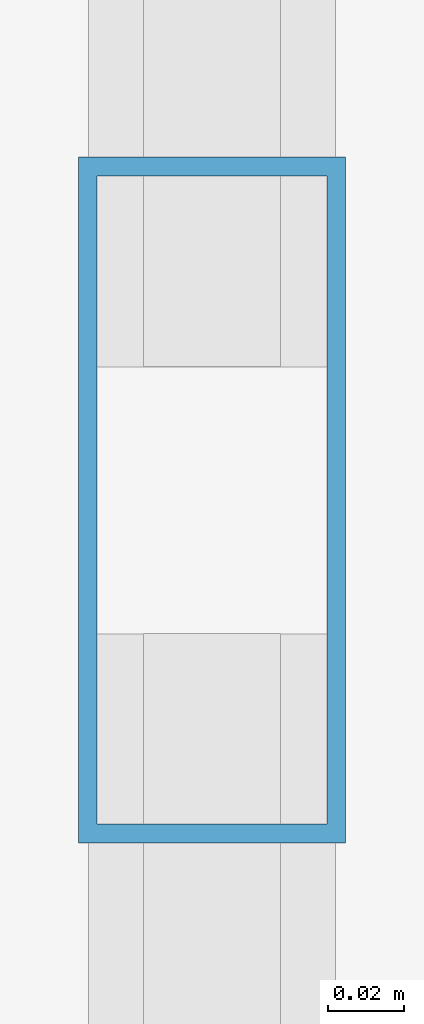
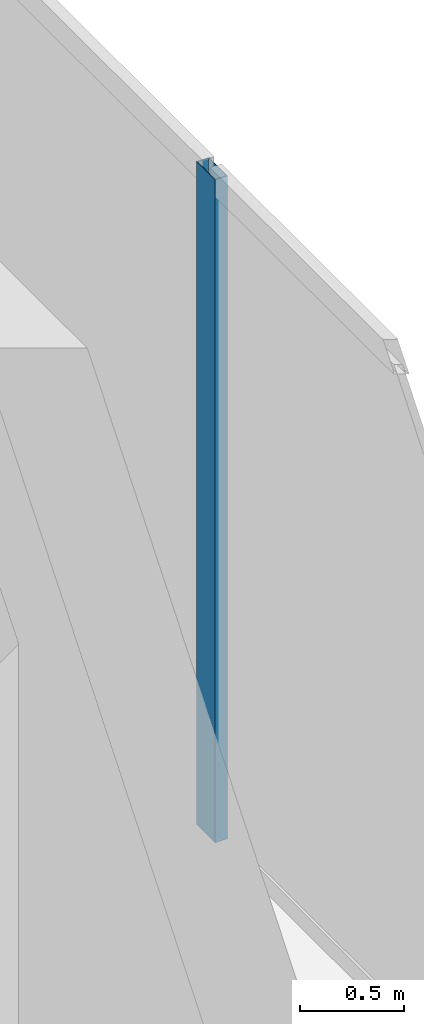
# One storey, part 17 of 31: 1 member, 1 element without a shape of its own.
"""IFC4 building model written with IfcOpenShell, lengths in metres."""

from ifc_helpers import new_model, si_unit, direction, frame, origin, origin_2d, place, context, subcontext, project, spatial, hollow_rectangle, extrude, source, transform, mapped, material, layer, layer_set, material_profile, profile_set, type_object, type_shapes, element, aggregate, save


model = new_model("IFC4")

# Units and contexts
model_context = context("Model", 3, precision=1e-05, world=origin(), true_north=direction((0.0, 1.0)))
body_context = subcontext(model_context, "Body", "Model", "MODEL_VIEW")
ifc_project = project(units=[si_unit("LENGTHUNIT", "METRE"), si_unit("AREAUNIT", "SQUARE_METRE"), si_unit("VOLUMEUNIT", "CUBIC_METRE"), si_unit("PLANEANGLEUNIT", "RADIAN"), si_unit("MASSUNIT", "GRAM", prefix="KILO")], contexts=[model_context])

# Site, building, storey
site_placement = place(None, origin())
site = spatial("IfcSite", under=ifc_project, at=site_placement, CompositionType="ELEMENT")
building_placement = place(site_placement, origin())
building = spatial("IfcBuilding", under=site, at=building_placement, Name="Haelvirn Gate Laboratories", CompositionType="ELEMENT")
storey_placement = place(building_placement, frame((0.0, 0.0, 318.60009765625)))
storey = spatial("IfcBuildingStorey", under=building, at=storey_placement, Name="L76", CompositionType="ELEMENT", Elevation=318.60009765625)

# Curtain wall, member
ifc_material_1 = material(Name="Anodised bronze unitised aluminium & triple low-E glass", Category="aluminium")
ifc_layer = layer(ifc_material_1, 0.176025390625, Name="CW-SYS-4")
ifc_layer_set = layer_set([ifc_layer], Name="Anodised bronze unitised aluminium & triple low-E glass")
curtain_wall_type = type_object("IfcCurtainWallType", Name="CW-SYS-4", PredefinedType="NOTDEFINED", material=ifc_layer_set)
curtain_wall_placement = place(storey_placement, origin())
curtain_wall = element("IfcCurtainWall", 1, at=curtain_wall_placement, inside=storey, type_object=curtain_wall_type, Name="L76 Unitised Curtain Wall CW-L76-P0-E07", PredefinedType="NOTDEFINED")
ifc_material_2 = material(Name="Extruded aluminium 6063-T6 (anodised bronze)", Category="aluminium")
ifc_material_profile = material_profile(ifc_material_2, hollow_rectangle(XDim=0.070068359375, YDim=0.179931640625, WallThickness=0.0048828125, at=origin_2d()), Name="CWM-180x70x5")
ifc_profile_set = profile_set([ifc_material_profile], Name="Extruded aluminium 6063-T6 (anodised bronze)")
member_type = type_object("IfcMemberType", Name="CWM-T180", PredefinedType="MULLION", material=ifc_profile_set)
shared_shape = source(origin(), body_context, "Body", "SweptSolid", [
    extrude(hollow_rectangle(XDim=0.070068359375, YDim=0.179931640625, WallThickness=0.0048828125, at=origin_2d()), origin(), (0.0, 0.0, 1.0), 3.89990234375),
])
type_shapes(member_type, [shared_shape])
member_placement = place(storey_placement, frame((68.89990234375, 24.300048828125, 0.0), z_axis=(0.0, 0.0, 1.0), x_axis=(-1.0, 0.0, 0.0)))
member = element("IfcMember", 2, at=member_placement, type_object=member_type, Name="CW4 mullion 2", PredefinedType="MULLION", context=body_context, shape_type="MappedRepresentation", body=[
    mapped(shared_shape, transform((0.0, 0.0, 0.0), scale=1.0)),
])
aggregate(curtain_wall, [member])

save(model, "model.ifc")
